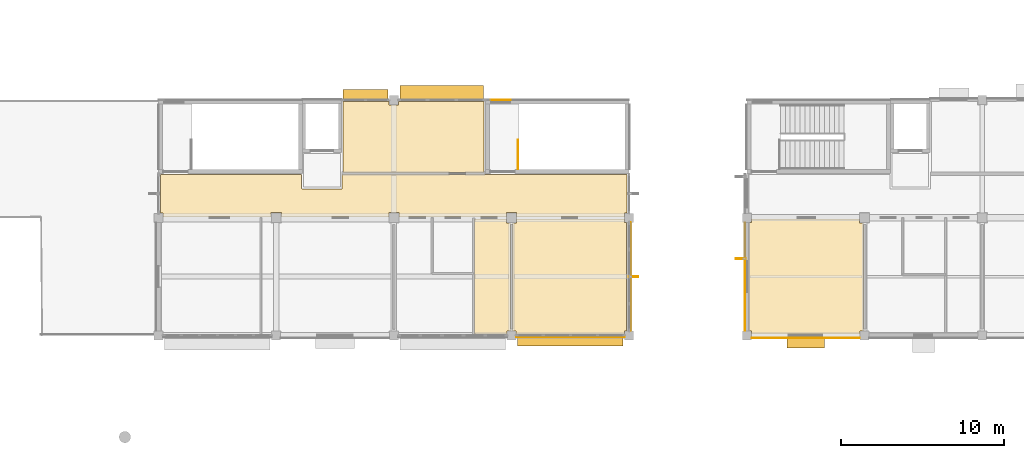
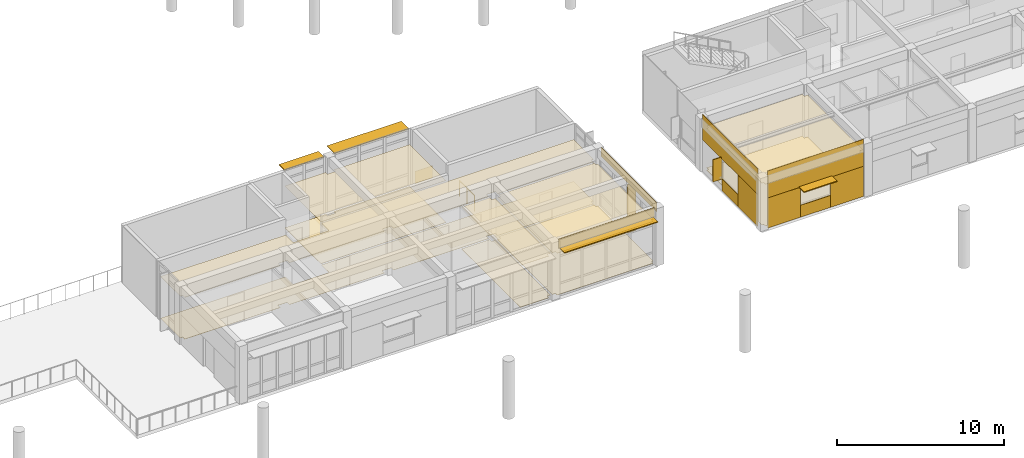
# One storey, part 31 of 41: 20 coverings, 6 shading devices, 1 railing.
"""IFC4 building model written with IfcOpenShell, lengths in metres."""

from ifc_helpers import new_model, si_unit, direction, frame, origin, origin_2d, place, context, subcontext, project, spatial, polyline, rectangle, circle, outline, extrude, material, layer, layer_set, type_object, element, save


model = new_model("IFC4")

# Units and contexts
model_context = context("Model", 3, precision=1e-05, world=origin(), true_north=direction((0.0, 1.0)))
body_context = subcontext(model_context, "Body", "Model", "MODEL_VIEW")
ifc_project = project(units=[si_unit("LENGTHUNIT", "METRE"), si_unit("AREAUNIT", "SQUARE_METRE"), si_unit("VOLUMEUNIT", "CUBIC_METRE"), si_unit("PLANEANGLEUNIT", "RADIAN"), si_unit("MASSUNIT", "GRAM", prefix="KILO")], contexts=[model_context])

# Site, building, storey
site_placement = place(None, origin())
site = spatial("IfcSite", under=ifc_project, at=site_placement, CompositionType="ELEMENT")
building_placement = place(site_placement, origin())
building = spatial("IfcBuilding", under=site, at=building_placement, Name="Namkhue Oval Health Centre", CompositionType="ELEMENT")
storey_placement = place(building_placement, frame((0.0, 0.0, 13.800048828125)))
storey = spatial("IfcBuildingStorey", under=building, at=storey_placement, Name="L03", CompositionType="ELEMENT", Elevation=13.800048828125)

# Coverings
ifc_material_1 = material(Name="Acoustic mineral-fibre cleanroom ceiling", Category="gypsum")
ifc_layer_1 = layer(ifc_material_1, 0.02001953125)
ifc_layer_set_1 = layer_set([ifc_layer_1], Name="Acoustic mineral-fibre cleanroom ceiling")
covering_type_1 = type_object("IfcCoveringType", Name="ACOUSTIC CLEANROOM CEILING 20", PredefinedType="CEILING", material=ifc_layer_set_1)
covering_1_placement = place(storey_placement, frame((0.0, 0.0, 3.050048828125)))
element("IfcCovering", 1, at=covering_1_placement, inside=storey, type_object=covering_type_1, Name="Acoustic Ceiling L03-V4-C1 V4 Clinical Corridor", PredefinedType="CEILING", context=body_context, shape_type="SweptSolid", body=[
    extrude(outline(polyline([(57.72509765625, 24.260009765625), (66.360107421875, 24.260009765625), (66.360107421875, 23.39990234375), (66.363037109375, 23.384765625), (66.37158203125, 23.37158203125), (66.384765625, 23.363037109375), (66.39990234375, 23.360107421875), (68.800048828125, 23.360107421875), (68.815185546875, 23.363037109375), (68.833251953125, 23.377685546875), (68.840087890625, 23.39990234375), (68.840087890625, 24.260009765625), (86.27490234375, 24.260009765625), (86.27490234375, 21.885009765625), (86.114990234375, 21.885009765625), (86.114990234375, 21.639892578125), (79.510009765625, 21.639892578125), (79.510009765625, 21.909912109375), (78.889892578125, 21.909912109375), (78.889892578125, 21.639892578125), (72.31005859375, 21.639892578125), (72.31005859375, 21.909912109375), (71.68994140625, 21.909912109375), (71.68994140625, 21.639892578125), (65.110107421875, 21.639892578125), (65.110107421875, 21.909912109375), (64.489990234375, 21.909912109375), (64.489990234375, 21.639892578125), (57.885009765625, 21.639892578125), (57.885009765625, 21.885009765625), (57.72509765625, 21.885009765625), (57.72509765625, 24.260009765625)])), origin(), (0.0, 0.0, 1.0), 0.02001953125),
])
covering_2_placement = place(storey_placement, frame((0.0, 0.0, 3.050048828125)))
element("IfcCovering", 2, at=covering_2_placement, inside=storey, type_object=covering_type_1, Name="Acoustic Ceiling L03-405 Staff Washroom", PredefinedType="CEILING", context=body_context, shape_type="SweptSolid", body=[
    extrude(outline(polyline([(76.93994140625, 14.485107421875), (76.93994140625, 21.52001953125), (78.889892578125, 21.52001953125), (78.889892578125, 21.2900390625), (79.1298828125, 21.2900390625), (79.1298828125, 14.68505859375), (78.9150390625, 14.68505859375), (78.9150390625, 14.485107421875), (76.93994140625, 14.485107421875)])), origin(), (0.0, 0.0, 1.0), 0.02001953125),
])
covering_3_placement = place(storey_placement, frame((0.0, 0.0, 3.050048828125)))
element("IfcCovering", 3, at=covering_3_placement, inside=storey, type_object=covering_type_1, Name="Acoustic Ceiling L03-406 Sterile Bulk Medical Store", PredefinedType="CEILING", context=body_context, shape_type="SweptSolid", body=[
    extrude(outline(polyline([(79.485107421875, 14.485107421875), (79.485107421875, 14.68505859375), (79.27001953125, 14.68505859375), (79.27001953125, 21.2900390625), (79.510009765625, 21.2900390625), (79.510009765625, 21.52001953125), (86.114990234375, 21.52001953125), (86.114990234375, 21.31494140625), (86.2451171875, 21.31494140625), (86.2451171875, 14.68505859375), (86.114990234375, 14.68505859375), (86.114990234375, 14.485107421875), (79.485107421875, 14.485107421875)])), origin(), (0.0, 0.0, 1.0), 0.02001953125),
])
covering_4_placement = place(storey_placement, frame((0.0, 0.0, 3.050048828125)))
element("IfcCovering", 4, at=covering_4_placement, inside=storey, type_object=covering_type_1, Name="Acoustic Ceiling L03-407 Day Surgery Terrace Lounge", PredefinedType="CEILING", context=body_context, shape_type="SweptSolid", body=[
    extrude(outline(polyline([(68.8798828125, 24.3798828125), (68.8798828125, 28.715087890625), (71.715087890625, 28.715087890625), (71.715087890625, 28.514892578125), (72.284912109375, 28.514892578125), (72.284912109375, 28.715087890625), (77.52001953125, 28.715087890625), (77.52001953125, 24.3798828125), (68.8798828125, 24.3798828125)])), origin(), (0.0, 0.0, 1.0), 0.02001953125),
])
covering_5_placement = place(storey_placement, frame((0.0, 0.0, 3.050048828125)))
element("IfcCovering", 5, at=covering_5_placement, inside=storey, type_object=covering_type_1, Name="Acoustic Ceiling L03-501 Child Adolescent Counselling", PredefinedType="CEILING", context=body_context, shape_type="SweptSolid", body=[
    extrude(outline(polyline([(93.885009765625, 14.485107421875), (93.885009765625, 14.68505859375), (93.7548828125, 14.68505859375), (93.7548828125, 21.31494140625), (93.885009765625, 21.31494140625), (93.885009765625, 21.52001953125), (100.489990234375, 21.52001953125), (100.489990234375, 21.2900390625), (100.72998046875, 21.2900390625), (100.72998046875, 14.68505859375), (100.514892578125, 14.68505859375), (100.514892578125, 14.485107421875), (93.885009765625, 14.485107421875)])), origin(), (0.0, 0.0, 1.0), 0.02001953125),
])
ifc_material_2 = material(Name="Homogeneous anti-bacterial clinical vinyl flooring", Category="plastic")
ifc_layer_2 = layer(ifc_material_2, 0.014892578125)
ifc_layer_set_2 = layer_set([ifc_layer_2], Name="Homogeneous anti-bacterial clinical vinyl flooring")
covering_type_2 = type_object("IfcCoveringType", Name="CLINICAL ANTIBACTERIAL VINYL FLOORING 15", PredefinedType="FLOORING", material=ifc_layer_set_2)
covering_6_placement = place(storey_placement, origin())
element("IfcCovering", 6, at=covering_6_placement, inside=storey, type_object=covering_type_2, Name="Clinical Flooring L03-V4-C1 V4 Clinical Corridor", PredefinedType="FLOORING", context=body_context, shape_type="SweptSolid", body=[
    extrude(outline(polyline([(57.72509765625, 24.260009765625), (66.360107421875, 24.260009765625), (66.360107421875, 23.39990234375), (66.363037109375, 23.384765625), (66.37158203125, 23.37158203125), (66.384765625, 23.363037109375), (66.39990234375, 23.360107421875), (68.800048828125, 23.360107421875), (68.815185546875, 23.363037109375), (68.833251953125, 23.377685546875), (68.840087890625, 23.39990234375), (68.840087890625, 24.260009765625), (86.27490234375, 24.260009765625), (86.27490234375, 21.885009765625), (86.114990234375, 21.885009765625), (86.114990234375, 21.639892578125), (79.510009765625, 21.639892578125), (79.510009765625, 21.909912109375), (78.889892578125, 21.909912109375), (78.889892578125, 21.639892578125), (72.31005859375, 21.639892578125), (72.31005859375, 21.909912109375), (71.68994140625, 21.909912109375), (71.68994140625, 21.639892578125), (65.110107421875, 21.639892578125), (65.110107421875, 21.909912109375), (64.489990234375, 21.909912109375), (64.489990234375, 21.639892578125), (57.885009765625, 21.639892578125), (57.885009765625, 21.885009765625), (57.72509765625, 21.885009765625), (57.72509765625, 24.260009765625)])), origin(), (0.0, 0.0, 1.0), 0.014892578125),
])
covering_7_placement = place(storey_placement, origin())
element("IfcCovering", 7, at=covering_7_placement, inside=storey, type_object=covering_type_2, Name="Clinical Flooring L03-405 Staff Washroom", PredefinedType="FLOORING", context=body_context, shape_type="SweptSolid", body=[
    extrude(outline(polyline([(76.93994140625, 14.485107421875), (76.93994140625, 21.52001953125), (78.889892578125, 21.52001953125), (78.889892578125, 21.2900390625), (79.1298828125, 21.2900390625), (79.1298828125, 14.68505859375), (78.9150390625, 14.68505859375), (78.9150390625, 14.485107421875), (76.93994140625, 14.485107421875)])), origin(), (0.0, 0.0, 1.0), 0.014892578125),
])
covering_8_placement = place(storey_placement, origin())
element("IfcCovering", 8, at=covering_8_placement, inside=storey, type_object=covering_type_2, Name="Clinical Flooring L03-406 Sterile Bulk Medical Store", PredefinedType="FLOORING", context=body_context, shape_type="SweptSolid", body=[
    extrude(outline(polyline([(79.485107421875, 14.485107421875), (79.485107421875, 14.68505859375), (79.27001953125, 14.68505859375), (79.27001953125, 21.2900390625), (79.510009765625, 21.2900390625), (79.510009765625, 21.52001953125), (86.114990234375, 21.52001953125), (86.114990234375, 21.31494140625), (86.2451171875, 21.31494140625), (86.2451171875, 14.68505859375), (86.114990234375, 14.68505859375), (86.114990234375, 14.485107421875), (79.485107421875, 14.485107421875)])), origin(), (0.0, 0.0, 1.0), 0.014892578125),
])
covering_9_placement = place(storey_placement, origin())
element("IfcCovering", 9, at=covering_9_placement, inside=storey, type_object=covering_type_2, Name="Clinical Flooring L03-407 Day Surgery Terrace Lounge", PredefinedType="FLOORING", context=body_context, shape_type="SweptSolid", body=[
    extrude(outline(polyline([(68.8798828125, 24.3798828125), (68.8798828125, 28.715087890625), (71.715087890625, 28.715087890625), (71.715087890625, 28.514892578125), (72.284912109375, 28.514892578125), (72.284912109375, 28.715087890625), (77.52001953125, 28.715087890625), (77.52001953125, 24.3798828125), (68.8798828125, 24.3798828125)])), origin(), (0.0, 0.0, 1.0), 0.014892578125),
])
covering_10_placement = place(storey_placement, origin())
element("IfcCovering", 10, at=covering_10_placement, inside=storey, type_object=covering_type_2, Name="Clinical Flooring L03-501 Child Adolescent Counselling", PredefinedType="FLOORING", context=body_context, shape_type="SweptSolid", body=[
    extrude(outline(polyline([(93.885009765625, 14.485107421875), (93.885009765625, 14.68505859375), (93.7548828125, 14.68505859375), (93.7548828125, 21.31494140625), (93.885009765625, 21.31494140625), (93.885009765625, 21.52001953125), (100.489990234375, 21.52001953125), (100.489990234375, 21.2900390625), (100.72998046875, 21.2900390625), (100.72998046875, 14.68505859375), (100.514892578125, 14.68505859375), (100.514892578125, 14.485107421875), (93.885009765625, 14.485107421875)])), origin(), (0.0, 0.0, 1.0), 0.014892578125),
])

# Railing
ifc_material_3 = material(Name="Brushed stainless steel 316L balustrade with laminated glass infill", Category="steel")
railing_type = type_object("IfcRailingType", Name="INTERIOR BALUSTRADE GUARD 1150", PredefinedType="BALUSTRADE", material=ifc_material_3)
railing_placement = place(storey_placement, frame((79.60009765625, 24.590087890625, 0.0)))
element("IfcRailing", 11, at=railing_placement, inside=storey, type_object=railing_type, Name="Stair ST-08 L03 Landing Well Edge Guard", PredefinedType="BALUSTRADE", context=body_context, shape_type="SweptSolid", body=[
    extrude(circle(Radius=0.02392578125, at=origin_2d()), frame((0.0, 0.0, 1.1259765625), z_axis=(0.0, 1.0, 0.0), x_axis=(-1.0, 0.0, 0.0)), (0.0, 0.0, 1.0), 1.77001953125),
    extrude(circle(Radius=0.02099609375, at=origin_2d()), origin(), (0.0, 0.0, 1.0), 1.101806640625),
    extrude(circle(Radius=0.02099609375, at=origin_2d()), frame((0.0, 0.885009765625, 0.0)), (0.0, 0.0, 1.0), 1.101806640625),
    extrude(circle(Radius=0.02099609375, at=origin_2d()), frame((0.0, 1.77001953125, 0.0)), (0.0, 0.0, 1.0), 1.101806640625),
])

# Shading devices
ifc_material_4 = material(Name="Anodised aluminium EN AW-6063 T6", Category="aluminium")
ifc_layer_3 = layer(ifc_material_4, 0.06005859375)
ifc_layer_set_3 = layer_set([ifc_layer_3], Name="Anodised aluminium EN AW-6063 T6")
shading_device_type_1 = type_object("IfcShadingDeviceType", Name="MONSOON SUN LOUVRE 900", PredefinedType="JALOUSIE", material=ifc_layer_set_3)
shading_device_1_placement = place(storey_placement, frame((74.9345703125, 29.25, 4.1298828125), z_axis=(0.0, 0.0, 1.0), x_axis=(-1.0, 0.0, 0.0)))
element("IfcShadingDevice", 12, at=shading_device_1_placement, inside=storey, type_object=shading_device_type_1, Name="Volume V4 L03 Horizontal Monsoon Sun Louvre 234", PredefinedType="JALOUSIE", context=body_context, shape_type="SweptSolid", body=[
    extrude(rectangle(XDim=5.126953125, YDim=0.89990234375, at=origin_2d()), origin(), (0.0, 0.0, 1.0), 0.06005859375),
])
ifc_layer_4 = layer(ifc_material_4, 0.050048828125)
ifc_layer_set_4 = layer_set([ifc_layer_4], Name="Anodised aluminium EN AW-6063 T6")
shading_device_type_2 = type_object("IfcShadingDeviceType", Name="STORM SHUTTER LOUVRE 650", PredefinedType="SHUTTER", material=ifc_layer_set_4)
shading_device_2_placement = place(storey_placement, frame((82.800048828125, 14.074951171875, 3.47998046875), z_axis=(0.0, 0.0, 1.0), x_axis=(1.0, 0.0, 0.0)))
element("IfcShadingDevice", 13, at=shading_device_2_placement, inside=storey, type_object=shading_device_type_2, Name="Volume V4 L03 Horizontal Monsoon Sun Louvre 231", PredefinedType="SHUTTER", context=body_context, shape_type="SweptSolid", body=[
    extrude(rectangle(XDim=6.4580078125, YDim=0.64990234375, at=origin_2d()), origin(), (0.0, 0.0, 1.0), 0.06005859375),
])
shading_device_3_placement = place(storey_placement, frame((70.265380859375, 29.125, 4.1298828125), z_axis=(0.0, 0.0, 1.0), x_axis=(-1.0, 0.0, 0.0)))
element("IfcShadingDevice", 14, at=shading_device_3_placement, inside=storey, type_object=shading_device_type_2, Name="Volume V4 L03 Horizontal Monsoon Sun Louvre 235", PredefinedType="SHUTTER", context=body_context, shape_type="SweptSolid", body=[
    extrude(rectangle(XDim=2.72705078125, YDim=0.64990234375, at=origin_2d()), origin(), (0.0, 0.0, 1.0), 0.06005859375),
])
shading_device_4_placement = place(storey_placement, frame((97.199951171875, 13.945068359375, 2.219970703125), z_axis=(0.0, 0.0, 1.0), x_axis=(1.0, 0.0, 0.0)))
element("IfcShadingDevice", 15, at=shading_device_4_placement, inside=storey, type_object=shading_device_type_2, Name="Volume V5 L03 Window Monsoon Louvre 277", PredefinedType="SHUTTER", context=body_context, shape_type="SweptSolid", body=[
    extrude(rectangle(XDim=2.2900390625, YDim=0.64990234375, at=origin_2d()), origin(), (0.0, 0.0, 1.0), 0.06005859375),
])
shading_device_type_3 = type_object("IfcShadingDeviceType", Name="VERTICAL SOLAR FIN 600", PredefinedType="USERDEFINED", material=ifc_material_4)
shading_device_5_placement = place(storey_placement, frame((86.659912109375, 18.0, 0.0), z_axis=(0.0, 0.0, 1.0), x_axis=(1.0, 0.0, 0.0)))
element("IfcShadingDevice", 16, at=shading_device_5_placement, inside=storey, type_object=shading_device_type_3, Name="Volume V4 L03 Extruded Aluminium Solar Fin 232", ObjectType="SOLAR FIN", PredefinedType="USERDEFINED", context=body_context, shape_type="SweptSolid", body=[
    extrude(rectangle(XDim=0.60009765625, YDim=0.06005859375, at=origin_2d()), origin(), (0.0, 0.0, 1.0), 3.550048828125),
])
shading_device_6_placement = place(storey_placement, frame((93.215087890625, 19.090087890625, 0.7998046875), z_axis=(0.0, 0.0, 1.0), x_axis=(-1.0, 0.0, 0.0)))
element("IfcShadingDevice", 17, at=shading_device_6_placement, inside=storey, type_object=shading_device_type_3, Name="Volume V5 L03 Window Solar Fin 285", ObjectType="SOLAR FIN", PredefinedType="USERDEFINED", context=body_context, shape_type="SweptSolid", body=[
    extrude(rectangle(XDim=0.60009765625, YDim=0.06005859375, at=origin_2d()), origin(), (0.0, 0.0, 1.0), 1.6201171875),
])

# Coverings
ifc_material_5 = material(Name="White glass-fibre reinforced concrete GRC rainscreen cladding", Category="concrete")
ifc_layer_5 = layer(ifc_material_5, 0.02490234375)
ifc_layer_set_5 = layer_set([ifc_layer_5], Name="White glass-fibre reinforced concrete GRC rainscreen cladding")
covering_type_3 = type_object("IfcCoveringType", Name="WHITE GRC RAINSCREEN CLADDING 25", PredefinedType="CLADDING", material=ifc_layer_set_5)
for number, where, z_axis, x_axis, name in (
    (18, (82.800048828125, 14.3115234375, 3.534912109375), (0.0, 0.0, 1.0), (1.0, 0.0, 0.0), "Volume V4 L03 Curtain Wall Spandrel Cladding 171"),
    (19, (86.488525390625, 18.0, 3.534912109375), (0.0, 0.0, 1.0), (0.0, 1.0, 0.0), "Volume V4 L03 Curtain Wall Spandrel Cladding 172"),
):
    element("IfcCovering", number, at=place(storey_placement, frame(where, z_axis=z_axis, x_axis=x_axis)), inside=storey, type_object=covering_type_3, Name=name, PredefinedType="CLADDING", context=body_context, shape_type="SweptSolid", body=[
        extrude(rectangle(XDim=6.64794921875, YDim=0.02490234375, at=origin_2d()), origin(), (0.0, 0.0, 1.0), 0.6650390625),
    ])
covering_11_placement = place(storey_placement, frame((97.199951171875, 14.248046875, 2.21484375), z_axis=(0.0, 0.0, 1.0), x_axis=(1.0, 0.0, 0.0)))
element("IfcCovering", 20, at=covering_11_placement, inside=storey, type_object=covering_type_3, Name="Volume V5 L03 Facade 139 White GRC Cladding 1", PredefinedType="CLADDING", context=body_context, shape_type="SweptSolid", body=[
    extrude(rectangle(XDim=6.617919921875, YDim=0.02490234375, at=origin_2d()), origin(), (0.0, 0.0, 1.0), 1.97509765625),
])
covering_12_placement = place(storey_placement, frame((95.025390625, 14.248046875, 0.009765625), z_axis=(0.0, 0.0, 1.0), x_axis=(1.0, 0.0, 0.0)))
element("IfcCovering", 21, at=covering_12_placement, inside=storey, type_object=covering_type_3, Name="Volume V5 L03 Facade 139 White GRC Cladding 2", PredefinedType="CLADDING", context=body_context, shape_type="SweptSolid", body=[
    extrude(rectangle(XDim=2.26904296875, YDim=0.02490234375, at=origin_2d()), origin(), (0.0, 0.0, 1.0), 2.199951171875),
])
covering_13_placement = place(storey_placement, frame((97.199951171875, 14.248046875, 0.010009765625), z_axis=(0.0, 0.0, 1.0), x_axis=(1.0, 0.0, 0.0)))
element("IfcCovering", 22, at=covering_13_placement, inside=storey, type_object=covering_type_3, Name="Volume V5 L03 Facade 139 White GRC Cladding 3", PredefinedType="CLADDING", context=body_context, shape_type="SweptSolid", body=[
    extrude(rectangle(XDim=2.070068359375, YDim=0.02490234375, at=origin_2d()), origin(), (0.0, 0.0, 1.0), 0.875),
])
covering_14_placement = place(storey_placement, frame((99.37451171875, 14.248046875, 0.009765625), z_axis=(0.0, 0.0, 1.0), x_axis=(1.0, 0.0, 0.0)))
element("IfcCovering", 23, at=covering_14_placement, inside=storey, type_object=covering_type_3, Name="Volume V5 L03 Facade 139 White GRC Cladding 4", PredefinedType="CLADDING", context=body_context, shape_type="SweptSolid", body=[
    extrude(rectangle(XDim=2.26904296875, YDim=0.02490234375, at=origin_2d()), origin(), (0.0, 0.0, 1.0), 2.199951171875),
])
covering_15_placement = place(storey_placement, frame((93.48291015625, 18.0, 2.3349609375), z_axis=(0.0, 0.0, 1.0), x_axis=(0.0, -1.0, 0.0)))
element("IfcCovering", 24, at=covering_15_placement, inside=storey, type_object=covering_type_3, Name="Volume V5 L03 Facade 148 White GRC Cladding 1", PredefinedType="CLADDING", context=body_context, shape_type="SweptSolid", body=[
    extrude(rectangle(XDim=6.617919921875, YDim=0.02490234375, at=origin_2d()), origin(), (0.0, 0.0, 1.0), 1.85498046875),
])
covering_16_placement = place(storey_placement, frame((93.48291015625, 18.0, 0.010009765625), z_axis=(0.0, 0.0, 1.0), x_axis=(0.0, -1.0, 0.0)))
element("IfcCovering", 25, at=covering_16_placement, inside=storey, type_object=covering_type_3, Name="Volume V5 L03 Facade 148 White GRC Cladding 3", PredefinedType="CLADDING", context=body_context, shape_type="SweptSolid", body=[
    extrude(rectangle(XDim=1.919921875, YDim=0.02490234375, at=origin_2d()), origin(), (0.0, 0.0, 1.0), 0.875),
])
covering_17_placement = place(storey_placement, frame((93.48291015625, 15.863037109375, 0.009765625), z_axis=(0.0, 0.0, 1.0), x_axis=(0.0, -1.0, 0.0)))
element("IfcCovering", 26, at=covering_17_placement, inside=storey, type_object=covering_type_3, Name="Volume V5 L03 Facade 148 White GRC Cladding 4", PredefinedType="CLADDING", context=body_context, shape_type="SweptSolid", body=[
    extrude(rectangle(XDim=2.343994140625, YDim=0.02490234375, at=origin_2d()), origin(), (0.0, 0.0, 1.0), 2.320068359375),
])
covering_18_placement = place(storey_placement, frame((78.5400390625, 28.81201171875, 0.010009765625), z_axis=(0.0, 0.0, 1.0), x_axis=(-1.0, 0.0, 0.0)))
element("IfcCovering", 27, at=covering_18_placement, inside=storey, type_object=covering_type_3, Name="Core SC-08 L03 Core N White GRC Cladding 3", PredefinedType="CLADDING", context=body_context, shape_type="SweptSolid", body=[
    extrude(rectangle(XDim=1.199951171875, YDim=0.02490234375, at=origin_2d()), origin(), (0.0, 0.0, 1.0), 0.89501953125),
])

save(model, "model.ifc")
